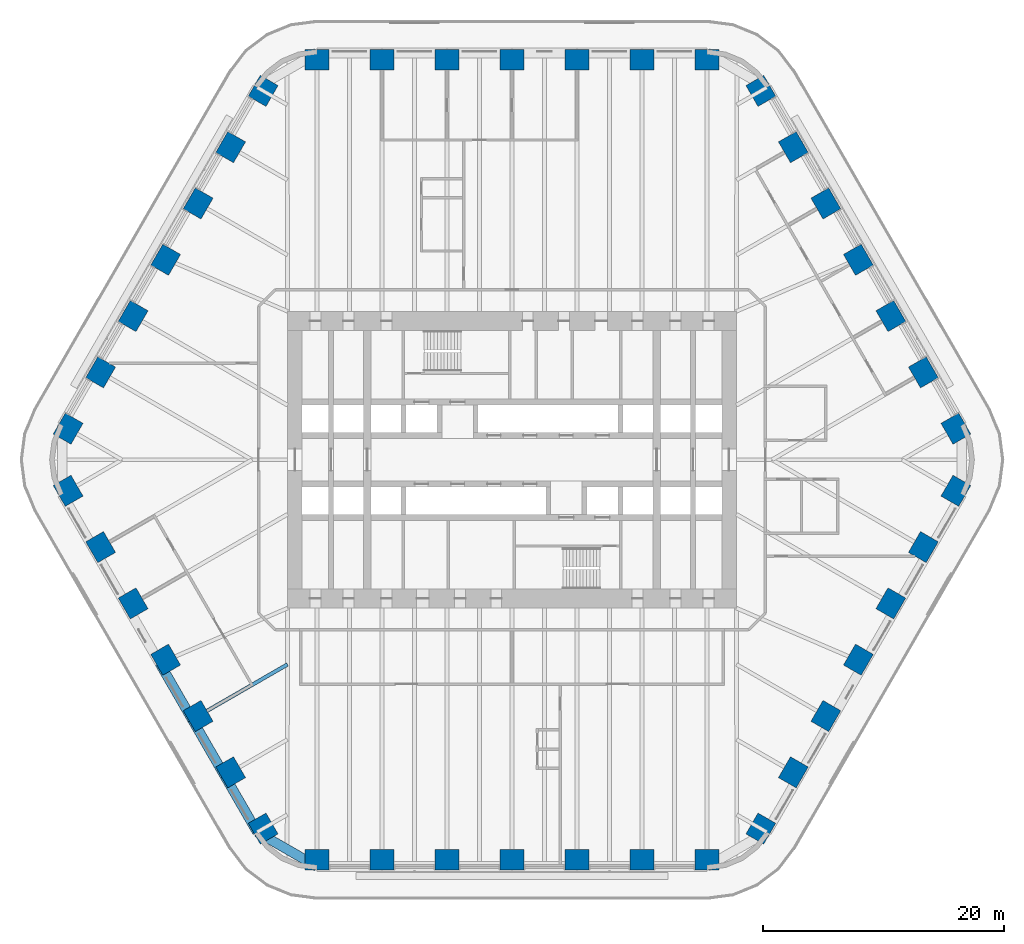
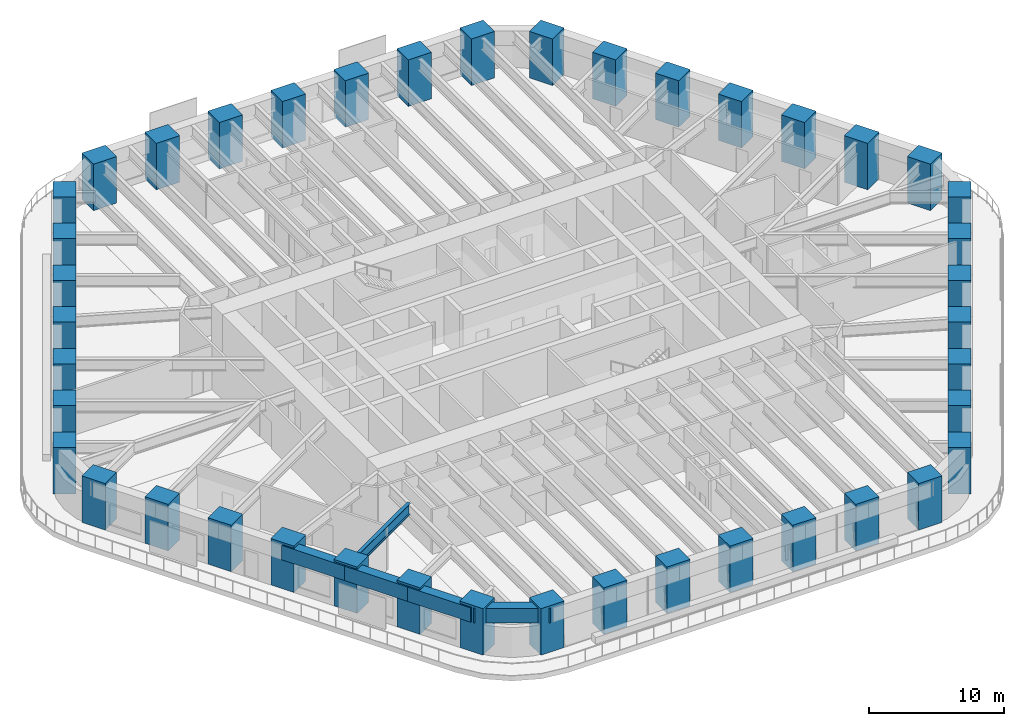
# One storey, part 1 of 24: 42 columns, 5 beams.
"""IFC4 building model written with IfcOpenShell, lengths in metres."""

from ifc_helpers import new_model, si_unit, direction, frame, origin, origin_2d, place, context, subcontext, project, spatial, rectangle, i_section, extrude, material, material_profile, profile_set, type_object, element, save


model = new_model("IFC4")

# Units and contexts
model_context = context("Model", 3, precision=1e-05, world=origin(), true_north=direction((0.0, 1.0)))
body_context = subcontext(model_context, "Body", "Model", "MODEL_VIEW")
ifc_project = project(units=[si_unit("LENGTHUNIT", "METRE"), si_unit("AREAUNIT", "SQUARE_METRE"), si_unit("VOLUMEUNIT", "CUBIC_METRE"), si_unit("PLANEANGLEUNIT", "RADIAN"), si_unit("MASSUNIT", "GRAM", prefix="KILO")], contexts=[model_context])

# Site, building, storey
site_placement = place(None, origin())
site = spatial("IfcSite", under=ifc_project, at=site_placement, CompositionType="ELEMENT")
building_placement = place(site_placement, origin())
building = spatial("IfcBuilding", under=site, at=building_placement, Name="Tarfa Lantern Tower", CompositionType="ELEMENT")
storey_placement = place(building_placement, frame((0.0, 0.0, 69.699951171875)))
storey = spatial("IfcBuildingStorey", under=building, at=storey_placement, Name="L15", CompositionType="ELEMENT", Elevation=69.699951171875)

# Columns
ifc_material_1 = material(Name="Concrete C80/95", Category="concrete")
ifc_material_profile_1 = material_profile(ifc_material_1, rectangle(XDim=2.0, YDim=1.699951171875, at=origin_2d()), Name="RC 2000x1700")
ifc_profile_set_1 = profile_set([ifc_material_profile_1], Name="Concrete C80/95")
column_type = type_object("IfcColumnType", Name="TC3 RC 2000x1700", PredefinedType="COLUMN", material=ifc_profile_set_1)
for number, where, z_axis, x_axis, name in (
    (1, (36.791748046875, 2.574951171875, 0.0), (0.0, 0.0, 1.0), (-0.5, 0.866025403784, 0.0), "Tube column NE0"),
    (2, (34.097412109375, 7.24169921875, 0.0), (0.0, 0.0, 1.0), (-0.5, 0.866025403784, 0.0), "Tube column NE1"),
    (3, (31.403076171875, 11.908447265625, 0.0), (0.0, 0.0, 1.0), (-0.5, 0.866025403784, 0.0), "Tube column NE2"),
    (4, (28.708740234375, 16.574951171875, 0.0), (0.0, 0.0, 1.0), (-0.5, 0.866025403784, 0.0), "Tube column NE3"),
    (5, (26.014404296875, 21.24169921875, 0.0), (0.0, 0.0, 1.0), (-0.5, 0.866025403784, 0.0), "Tube column NE4"),
    (6, (23.320068359375, 25.908447265625, 0.0), (0.0, 0.0, 1.0), (-0.5, 0.866025403784, 0.0), "Tube column NE5"),
    (7, (20.625732421875, 30.574951171875, 0.0), (0.0, 0.0, 1.0), (-0.5, 0.866025403784, 0.0), "Tube column NE6"),
    (8, (16.165771484375, 33.14990234375, 0.0), (0.0, 0.0, 1.0), (-1.0, 0.0, 0.0), "Tube column N0"),
    (9, (10.777099609375, 33.14990234375, 0.0), (0.0, 0.0, 1.0), (-1.0, 0.0, 0.0), "Tube column N1"),
    (10, (5.388671875, 33.14990234375, 0.0), (0.0, 0.0, 1.0), (-1.0, 0.0, 0.0), "Tube column N2"),
    (11, (0.0, 33.14990234375, 0.0), (0.0, 0.0, 1.0), (-1.0, 0.0, 0.0), "Tube column N3"),
    (12, (-5.388671875, 33.14990234375, 0.0), (0.0, 0.0, 1.0), (-1.0, 0.0, 0.0), "Tube column N4"),
    (13, (-10.777099609375, 33.14990234375, 0.0), (0.0, 0.0, 1.0), (-1.0, 0.0, 0.0), "Tube column N5"),
    (14, (-16.165771484375, 33.14990234375, 0.0), (0.0, 0.0, 1.0), (-1.0, 0.0, 0.0), "Tube column N6"),
    (15, (-20.625732421875, 30.574951171875, 0.0), (0.0, 0.0, 1.0), (-0.5, -0.866025403784, 0.0), "Tube column NW0"),
    (16, (-23.320068359375, 25.908447265625, 0.0), (0.0, 0.0, 1.0), (-0.5, -0.866025403784, 0.0), "Tube column NW1"),
    (17, (-26.014404296875, 21.24169921875, 0.0), (0.0, 0.0, 1.0), (-0.5, -0.866025403784, 0.0), "Tube column NW2"),
    (18, (-28.708740234375, 16.574951171875, 0.0), (0.0, 0.0, 1.0), (-0.5, -0.866025403784, 0.0), "Tube column NW3"),
    (19, (-31.403076171875, 11.908447265625, 0.0), (0.0, 0.0, 1.0), (-0.5, -0.866025403784, 0.0), "Tube column NW4"),
    (20, (-34.097412109375, 7.24169921875, 0.0), (0.0, 0.0, 1.0), (-0.5, -0.866025403784, 0.0), "Tube column NW5"),
    (21, (-36.791748046875, 2.574951171875, 0.0), (0.0, 0.0, 1.0), (-0.5, -0.866025403784, 0.0), "Tube column NW6"),
    (22, (-36.791748046875, -2.574951171875, 0.0), (0.0, 0.0, 1.0), (0.5, -0.866025403784, 0.0), "Tube column SW0"),
    (23, (-34.097412109375, -7.24169921875, 0.0), (0.0, 0.0, 1.0), (0.5, -0.866025403784, 0.0), "Tube column SW1"),
    (24, (-31.403076171875, -11.908447265625, 0.0), (0.0, 0.0, 1.0), (0.5, -0.866025403784, 0.0), "Tube column SW2"),
    (25, (-28.708740234375, -16.574951171875, 0.0), (0.0, 0.0, 1.0), (0.5, -0.866025403784, 0.0), "Tube column SW3"),
    (26, (-26.014404296875, -21.24169921875, 0.0), (0.0, 0.0, 1.0), (0.5, -0.866025403784, 0.0), "Tube column SW4"),
    (27, (-23.320068359375, -25.908447265625, 0.0), (0.0, 0.0, 1.0), (0.5, -0.866025403784, 0.0), "Tube column SW5"),
    (28, (-20.625732421875, -30.574951171875, 0.0), (0.0, 0.0, 1.0), (0.5, -0.866025403784, 0.0), "Tube column SW6"),
    (29, (-16.165771484375, -33.14990234375, 0.0), (0.0, 0.0, 1.0), (1.0, 0.0, 0.0), "Tube column S0"),
    (30, (-10.777099609375, -33.14990234375, 0.0), (0.0, 0.0, 1.0), (1.0, 0.0, 0.0), "Tube column S1"),
    (31, (-5.388671875, -33.14990234375, 0.0), (0.0, 0.0, 1.0), (1.0, 0.0, 0.0), "Tube column S2"),
    (32, (0.0, -33.14990234375, 0.0), (0.0, 0.0, 1.0), (1.0, 0.0, 0.0), "Tube column S3"),
    (33, (5.388671875, -33.14990234375, 0.0), (0.0, 0.0, 1.0), (1.0, 0.0, 0.0), "Tube column S4"),
    (34, (10.777099609375, -33.14990234375, 0.0), (0.0, 0.0, 1.0), (1.0, 0.0, 0.0), "Tube column S5"),
    (35, (16.165771484375, -33.14990234375, 0.0), (0.0, 0.0, 1.0), (1.0, 0.0, 0.0), "Tube column S6"),
    (36, (20.625732421875, -30.574951171875, 0.0), (0.0, 0.0, 1.0), (0.5, 0.866025403784, 0.0), "Tube column SE0"),
    (37, (23.320068359375, -25.908447265625, 0.0), (0.0, 0.0, 1.0), (0.5, 0.866025403784, 0.0), "Tube column SE1"),
    (38, (26.014404296875, -21.24169921875, 0.0), (0.0, 0.0, 1.0), (0.5, 0.866025403784, 0.0), "Tube column SE2"),
    (39, (28.708740234375, -16.574951171875, 0.0), (0.0, 0.0, 1.0), (0.5, 0.866025403784, 0.0), "Tube column SE3"),
    (40, (31.403076171875, -11.908447265625, 0.0), (0.0, 0.0, 1.0), (0.5, 0.866025403784, 0.0), "Tube column SE4"),
    (41, (34.097412109375, -7.24169921875, 0.0), (0.0, 0.0, 1.0), (0.5, 0.866025403784, 0.0), "Tube column SE5"),
    (42, (36.791748046875, -2.574951171875, 0.0), (0.0, 0.0, 1.0), (0.5, 0.866025403784, 0.0), "Tube column SE6"),
):
    element("IfcColumn", number, at=place(storey_placement, frame(where, z_axis=z_axis, x_axis=x_axis)), inside=storey, type_object=column_type, Name=name, PredefinedType="COLUMN", context=body_context, shape_type="SweptSolid", body=[
        extrude(rectangle(XDim=2.0, YDim=1.699951171875, at=origin_2d()), origin(), (0.0, 0.0, 1.0), 4.199951171875),
    ])

# Beams
ifc_material_profile_2 = material_profile(ifc_material_1, rectangle(XDim=0.800048828125, YDim=1.300048828125, at=origin_2d()), Name="RC 800x1300")
ifc_profile_set_2 = profile_set([ifc_material_profile_2], Name="Concrete C80/95")
beam_type_1 = type_object("IfcBeamType", Name="EB1 RC 800x1300", PredefinedType="SPANDREL", material=ifc_profile_set_2)
beam_1_placement = place(storey_placement, frame((-29.202392578125, -16.860107421875, 3.35009765625), z_axis=(0.500017906299, -0.866015065331, 0.0), x_axis=(0.866015065331, 0.500017906299, 0.0)))
element("IfcBeam", 43, at=beam_1_placement, inside=storey, type_object=beam_type_1, Name="Edge beam SW3", PredefinedType="SPANDREL", context=body_context, shape_type="SweptSolid", body=[
    extrude(rectangle(XDim=0.800048828125, YDim=1.300048828125, at=origin_2d()), origin(), (0.0, 0.0, 1.0), 5.388427734375),
])
for number, where, z_axis, x_axis, name in (
    (44, (-26.508056640625, -21.526611328125, 3.35009765625), (0.499998287579, -0.866026392449, 0.0), (0.866026392449, 0.499998287579, 0.0), "Edge beam SW4"),
    (45, (-23.813720703125, -26.193359375, 3.35009765625), (0.499998287579, -0.866026392449, 0.0), (0.866026392449, 0.499998287579, 0.0), "Edge beam SW5"),
):
    element("IfcBeam", number, at=place(storey_placement, frame(where, z_axis=z_axis, x_axis=x_axis)), inside=storey, type_object=beam_type_1, Name=name, PredefinedType="SPANDREL", context=body_context, shape_type="SweptSolid", body=[
        extrude(rectangle(XDim=0.800048828125, YDim=1.300048828125, at=origin_2d()), origin(), (0.0, 0.0, 1.0), 5.388671875),
    ])
beam_2_placement = place(storey_placement, frame((-21.119384765625, -30.860107421875, 3.35009765625), z_axis=(0.866033479681, -0.499986011877, 0.0), x_axis=(0.499986011877, 0.866033479681, 0.0)))
element("IfcBeam", 46, at=beam_2_placement, inside=storey, type_object=beam_type_1, Name="Edge beam SW6", PredefinedType="SPANDREL", context=body_context, shape_type="SweptSolid", body=[
    extrude(rectangle(XDim=0.800048828125, YDim=1.300048828125, at=origin_2d()), origin(), (0.0, 0.0, 1.0), 5.719970703125),
])
ifc_material_2 = material(Name="Steel S460M", Category="steel")
ifc_material_profile_3 = material_profile(ifc_material_2, i_section(OverallWidth=0.302001953125, OverallDepth=1.008056640625, WebThickness=0.02099609375, FlangeThickness=0.0400390625, FilletRadius=0.030029296875, at=origin_2d()), Name="UB1016x305x349")
ifc_profile_set_3 = profile_set([ifc_material_profile_3], Name="Steel S460M")
beam_type_2 = type_object("IfcBeamType", Name="UB1016x305x349", PredefinedType="BEAM", material=ifc_profile_set_3)
beam_3_placement = place(storey_placement, frame((-26.508056640625, -21.526611328125, 3.49609375), z_axis=(0.866035355799, 0.49998276221, 0.0), x_axis=(-0.49998276221, 0.866035355799, 0.0)))
element("IfcBeam", 47, at=beam_3_placement, inside=storey, type_object=beam_type_2, Name="Floor beam SW4", PredefinedType="BEAM", context=body_context, shape_type="SweptSolid", body=[
    extrude(i_section(OverallWidth=0.302001953125, OverallDepth=1.008056640625, WebThickness=0.02099609375, FlangeThickness=0.0400390625, FilletRadius=0.030029296875, at=origin_2d()), origin(), (0.0, 0.0, 1.0), 9.119873046875),
])

save(model, "model.ifc")
